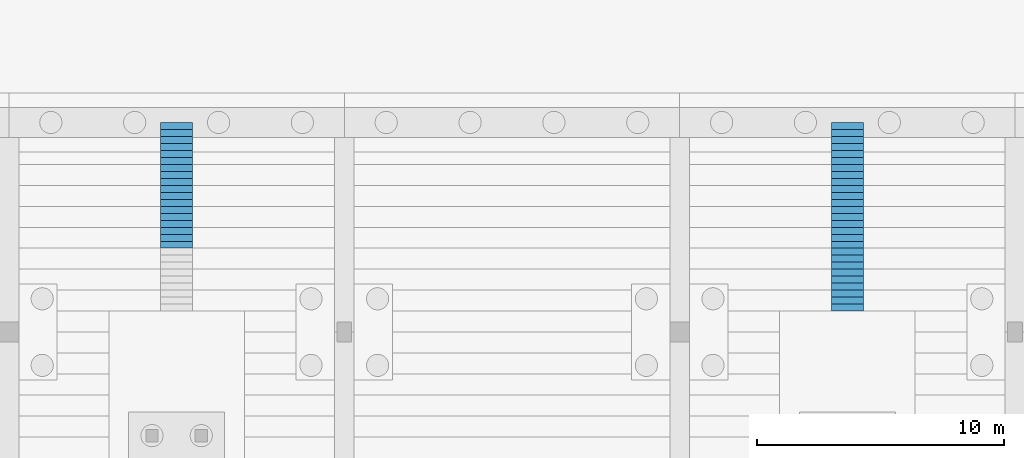
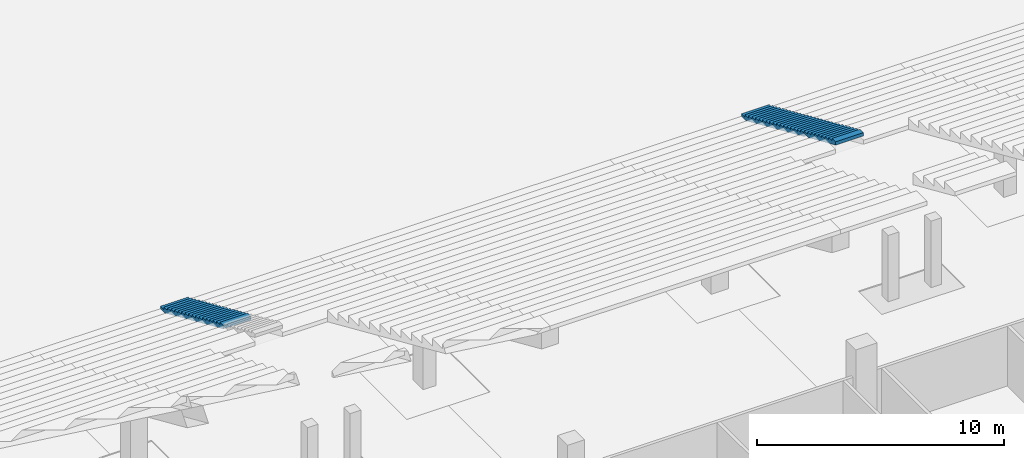
# One storey, part 71 of 115: 3 stair flights, 2 elements without a shape of their own.
"""IFC4 building model written with IfcOpenShell, lengths in metres."""

from ifc_helpers import new_model, si_unit, direction, frame, origin, place, context, subcontext, project, spatial, faceted_brep, material, type_object, element, aggregate, save


model = new_model("IFC4")

# Units and contexts
model_context = context("Model", 3, precision=1e-05, world=origin(), true_north=direction((0.0, 1.0)))
body_context = subcontext(model_context, "Body", "Model", "MODEL_VIEW")
ifc_project = project(units=[si_unit("LENGTHUNIT", "METRE"), si_unit("AREAUNIT", "SQUARE_METRE"), si_unit("VOLUMEUNIT", "CUBIC_METRE"), si_unit("PLANEANGLEUNIT", "RADIAN"), si_unit("MASSUNIT", "GRAM", prefix="KILO")], contexts=[model_context])

# Site, building, storey
site_placement = place(None, origin())
site = spatial("IfcSite", under=ifc_project, at=site_placement, CompositionType="ELEMENT")
building_placement = place(site_placement, origin())
building = spatial("IfcBuilding", under=site, at=building_placement, Name="Ogive Plaza Stadium", CompositionType="ELEMENT")
storey_placement = place(building_placement, frame((0.0, 0.0, -4.5)))
storey = spatial("IfcBuildingStorey", under=building, at=storey_placement, Name="B1", CompositionType="ELEMENT", Elevation=-4.5)

# Stair, stair flights
ifc_material_1 = material(Name="Concrete C40/50", Category="concrete")
stair_type = type_object("IfcStairType", Name="Aisle stair", PredefinedType="STRAIGHT_RUN_STAIR", material=ifc_material_1)
stair_1_placement = place(storey_placement, origin())
stair_1 = element("IfcStair", 1, at=stair_1_placement, inside=storey, type_object=stair_type, Name="Aisle stair SA13D", PredefinedType="STRAIGHT_RUN_STAIR")
ifc_material_2 = material(Name="Concrete C40/50", Category="concrete")
stair_flight_type = type_object("IfcStairFlightType", Name="Aisle stair flight", PredefinedType="STRAIGHT", material=ifc_material_2)
stair_flight_1_placement = place(storey_placement, frame((13.60009765625, -60.0, 1.125), z_axis=(0.0, 0.0, 1.0), x_axis=(0.0, -1.0, 0.0)))
stair_flight_1 = element("IfcStairFlight", 2, at=stair_flight_1_placement, type_object=stair_flight_type, Name="SA13D flight 1", NumberOfRisers=18, NumberOfTreads=17, PredefinedType="STRAIGHT", RiserHeight=0.125, TreadLength=0.283333333, context=body_context, shape_type="Brep", body=[
    faceted_brep([(0.371337890625, -0.64990234375, 0.0), (5.10009765625, -0.64990234375, 2.086181640625), (5.10009765625, -0.64990234375, 2.25), (4.816650390625, -0.64990234375, 2.25), (4.816650390625, -0.64990234375, 2.125), (4.533447265625, -0.64990234375, 2.125), (4.533447265625, -0.64990234375, 2.0), (4.25, -0.64990234375, 2.0), (4.25, -0.64990234375, 1.875), (3.966552734375, -0.64990234375, 1.875), (3.966552734375, -0.64990234375, 1.75), (3.683349609375, -0.64990234375, 1.75), (3.683349609375, -0.64990234375, 1.625), (3.39990234375, -0.64990234375, 1.625), (3.39990234375, -0.64990234375, 1.5), (3.11669921875, -0.64990234375, 1.5), (3.11669921875, -0.64990234375, 1.375), (2.833251953125, -0.64990234375, 1.375), (2.833251953125, -0.64990234375, 1.25), (2.550048828125, -0.64990234375, 1.25), (2.550048828125, -0.64990234375, 1.125), (2.2666015625, -0.64990234375, 1.125), (2.2666015625, -0.64990234375, 1.0), (1.9833984375, -0.64990234375, 1.0), (1.9833984375, -0.64990234375, 0.875), (1.699951171875, -0.64990234375, 0.875), (1.699951171875, -0.64990234375, 0.75), (1.416748046875, -0.64990234375, 0.75), (1.416748046875, -0.64990234375, 0.625), (1.13330078125, -0.64990234375, 0.625), (1.13330078125, -0.64990234375, 0.5), (0.85009765625, -0.64990234375, 0.5), (0.85009765625, -0.64990234375, 0.375), (0.566650390625, -0.64990234375, 0.375), (0.566650390625, -0.64990234375, 0.25), (0.283447265625, -0.64990234375, 0.25), (0.283447265625, -0.64990234375, 0.125), (0.0, -0.64990234375, 0.125), (0.0, -0.64990234375, 0.0), (0.0, 0.64990234375, 0.0), (0.0, 0.64990234375, 0.125), (0.283447265625, 0.64990234375, 0.125), (0.283447265625, 0.64990234375, 0.25), (0.566650390625, 0.64990234375, 0.25), (0.566650390625, 0.64990234375, 0.375), (0.85009765625, 0.64990234375, 0.375), (0.85009765625, 0.64990234375, 0.5), (1.13330078125, 0.64990234375, 0.5), (1.13330078125, 0.64990234375, 0.625), (1.416748046875, 0.64990234375, 0.625), (1.416748046875, 0.64990234375, 0.75), (1.699951171875, 0.64990234375, 0.75), (1.699951171875, 0.64990234375, 0.875), (1.9833984375, 0.64990234375, 0.875), (1.9833984375, 0.64990234375, 1.0), (2.2666015625, 0.64990234375, 1.0), (2.2666015625, 0.64990234375, 1.125), (2.550048828125, 0.64990234375, 1.125), (2.550048828125, 0.64990234375, 1.25), (2.833251953125, 0.64990234375, 1.25), (2.833251953125, 0.64990234375, 1.375), (3.11669921875, 0.64990234375, 1.375), (3.11669921875, 0.64990234375, 1.5), (3.39990234375, 0.64990234375, 1.5), (3.39990234375, 0.64990234375, 1.625), (3.683349609375, 0.64990234375, 1.625), (3.683349609375, 0.64990234375, 1.75), (3.966552734375, 0.64990234375, 1.75), (3.966552734375, 0.64990234375, 1.875), (4.25, 0.64990234375, 1.875), (4.25, 0.64990234375, 2.0), (4.533447265625, 0.64990234375, 2.0), (4.533447265625, 0.64990234375, 2.125), (4.816650390625, 0.64990234375, 2.125), (4.816650390625, 0.64990234375, 2.25), (5.10009765625, 0.64990234375, 2.25), (5.10009765625, 0.64990234375, 2.086181640625), (0.371337890625, 0.64990234375, 0.0), (0.371337890625, -0.324951171875, 0.0), (5.10009765625, -0.324951171875, 2.086181640625), (0.371337890625, 0.0, 0.0), (5.10009765625, 0.0, 2.086181640625), (0.371337890625, 0.324951171875, 0.0), (5.10009765625, 0.324951171875, 2.086181640625), (5.10009765625, -0.324951171875, 2.25), (5.10009765625, 0.0, 2.25), (5.10009765625, 0.324951171875, 2.25), (4.816650390625, -0.324951171875, 2.25), (4.816650390625, 0.0, 2.25), (4.816650390625, 0.324951171875, 2.25), (4.816650390625, -0.324951171875, 2.125), (4.816650390625, 0.0, 2.125), (4.816650390625, 0.324951171875, 2.125), (4.533447265625, -0.324951171875, 2.125), (4.533447265625, 0.0, 2.125), (4.533447265625, 0.324951171875, 2.125), (4.533447265625, -0.324951171875, 2.0), (4.533447265625, 0.0, 2.0), (4.533447265625, 0.324951171875, 2.0), (4.25, -0.324951171875, 2.0), (4.25, 0.0, 2.0), (4.25, 0.324951171875, 2.0), (4.25, -0.324951171875, 1.875), (4.25, 0.0, 1.875), (4.25, 0.324951171875, 1.875), (3.966552734375, -0.324951171875, 1.875), (3.966552734375, 0.0, 1.875), (3.966552734375, 0.324951171875, 1.875), (3.966552734375, -0.324951171875, 1.75), (3.966552734375, 0.0, 1.75), (3.966552734375, 0.324951171875, 1.75), (3.683349609375, -0.324951171875, 1.75), (3.683349609375, 0.0, 1.75), (3.683349609375, 0.324951171875, 1.75), (3.683349609375, -0.324951171875, 1.625), (3.683349609375, 0.0, 1.625), (3.683349609375, 0.324951171875, 1.625), (3.39990234375, -0.324951171875, 1.625), (3.39990234375, 0.0, 1.625), (3.39990234375, 0.324951171875, 1.625), (3.39990234375, -0.324951171875, 1.5), (3.39990234375, 0.0, 1.5), (3.39990234375, 0.324951171875, 1.5), (3.11669921875, -0.324951171875, 1.5), (3.11669921875, 0.0, 1.5), (3.11669921875, 0.324951171875, 1.5), (3.11669921875, -0.324951171875, 1.375), (3.11669921875, 0.0, 1.375), (3.11669921875, 0.324951171875, 1.375), (2.833251953125, -0.324951171875, 1.375), (2.833251953125, 0.0, 1.375), (2.833251953125, 0.324951171875, 1.375), (2.833251953125, -0.324951171875, 1.25), (2.833251953125, 0.0, 1.25), (2.833251953125, 0.324951171875, 1.25), (2.550048828125, -0.324951171875, 1.25), (2.550048828125, 0.0, 1.25), (2.550048828125, 0.324951171875, 1.25), (2.550048828125, -0.324951171875, 1.125), (2.550048828125, 0.0, 1.125), (2.550048828125, 0.324951171875, 1.125), (2.2666015625, -0.324951171875, 1.125), (2.2666015625, 0.0, 1.125), (2.2666015625, 0.324951171875, 1.125), (2.2666015625, -0.324951171875, 1.0), (2.2666015625, 0.0, 1.0), (2.2666015625, 0.324951171875, 1.0), (1.9833984375, -0.324951171875, 1.0), (1.9833984375, 0.0, 1.0), (1.9833984375, 0.324951171875, 1.0), (1.9833984375, -0.324951171875, 0.875), (1.9833984375, 0.0, 0.875), (1.9833984375, 0.324951171875, 0.875), (1.699951171875, -0.324951171875, 0.875), (1.699951171875, 0.0, 0.875), (1.699951171875, 0.324951171875, 0.875), (1.699951171875, -0.324951171875, 0.75), (1.699951171875, 0.0, 0.75), (1.699951171875, 0.324951171875, 0.75), (1.416748046875, -0.324951171875, 0.75), (1.416748046875, 0.0, 0.75), (1.416748046875, 0.324951171875, 0.75), (1.416748046875, -0.324951171875, 0.625), (1.416748046875, 0.0, 0.625), (1.416748046875, 0.324951171875, 0.625), (1.13330078125, -0.324951171875, 0.625), (1.13330078125, 0.0, 0.625), (1.13330078125, 0.324951171875, 0.625), (1.13330078125, -0.324951171875, 0.5), (1.13330078125, 0.0, 0.5), (1.13330078125, 0.324951171875, 0.5), (0.85009765625, -0.324951171875, 0.5), (0.85009765625, 0.0, 0.5), (0.85009765625, 0.324951171875, 0.5), (0.85009765625, -0.324951171875, 0.375), (0.85009765625, 0.0, 0.375), (0.85009765625, 0.324951171875, 0.375), (0.566650390625, -0.324951171875, 0.375), (0.566650390625, 0.0, 0.375), (0.566650390625, 0.324951171875, 0.375), (0.566650390625, -0.324951171875, 0.25), (0.566650390625, 0.0, 0.25), (0.566650390625, 0.324951171875, 0.25), (0.283447265625, -0.324951171875, 0.25), (0.283447265625, 0.0, 0.25), (0.283447265625, 0.324951171875, 0.25), (0.283447265625, -0.324951171875, 0.125), (0.283447265625, 0.0, 0.125), (0.283447265625, 0.324951171875, 0.125), (0.0, -0.324951171875, 0.125), (0.0, 0.0, 0.125), (0.0, 0.324951171875, 0.125), (0.0, -0.324951171875, 0.0), (0.0, 0.0, 0.0), (0.0, 0.324951171875, 0.0)], [[[0, 1, 2, 3, 4, 5, 6, 7, 8, 9, 10, 11, 12, 13, 14, 15, 16, 17, 18, 19, 20, 21, 22, 23, 24, 25, 26, 27, 28, 29, 30, 31, 32, 33, 34, 35, 36, 37, 38]], [[39, 40, 41, 42, 43, 44, 45, 46, 47, 48, 49, 50, 51, 52, 53, 54, 55, 56, 57, 58, 59, 60, 61, 62, 63, 64, 65, 66, 67, 68, 69, 70, 71, 72, 73, 74, 75, 76, 77]], [[0, 78, 79, 1]], [[78, 80, 81, 79]], [[80, 82, 83, 81]], [[82, 77, 76, 83]], [[1, 79, 84, 2]], [[79, 81, 85, 84]], [[81, 83, 86, 85]], [[83, 76, 75, 86]], [[2, 84, 87, 3]], [[84, 85, 88, 87]], [[85, 86, 89, 88]], [[86, 75, 74, 89]], [[3, 87, 90, 4]], [[87, 88, 91, 90]], [[88, 89, 92, 91]], [[89, 74, 73, 92]], [[4, 90, 93, 5]], [[90, 91, 94, 93]], [[91, 92, 95, 94]], [[92, 73, 72, 95]], [[5, 93, 96, 6]], [[93, 94, 97, 96]], [[94, 95, 98, 97]], [[95, 72, 71, 98]], [[6, 96, 99, 7]], [[96, 97, 100, 99]], [[97, 98, 101, 100]], [[98, 71, 70, 101]], [[7, 99, 102, 8]], [[99, 100, 103, 102]], [[100, 101, 104, 103]], [[101, 70, 69, 104]], [[8, 102, 105, 9]], [[102, 103, 106, 105]], [[103, 104, 107, 106]], [[104, 69, 68, 107]], [[9, 105, 108, 10]], [[105, 106, 109, 108]], [[106, 107, 110, 109]], [[107, 68, 67, 110]], [[10, 108, 111, 11]], [[108, 109, 112, 111]], [[109, 110, 113, 112]], [[110, 67, 66, 113]], [[11, 111, 114, 12]], [[111, 112, 115, 114]], [[112, 113, 116, 115]], [[113, 66, 65, 116]], [[12, 114, 117, 13]], [[114, 115, 118, 117]], [[115, 116, 119, 118]], [[116, 65, 64, 119]], [[13, 117, 120, 14]], [[117, 118, 121, 120]], [[118, 119, 122, 121]], [[119, 64, 63, 122]], [[14, 120, 123, 15]], [[120, 121, 124, 123]], [[121, 122, 125, 124]], [[122, 63, 62, 125]], [[15, 123, 126, 16]], [[123, 124, 127, 126]], [[124, 125, 128, 127]], [[125, 62, 61, 128]], [[16, 126, 129, 17]], [[126, 127, 130, 129]], [[127, 128, 131, 130]], [[128, 61, 60, 131]], [[17, 129, 132, 18]], [[129, 130, 133, 132]], [[130, 131, 134, 133]], [[131, 60, 59, 134]], [[18, 132, 135, 19]], [[132, 133, 136, 135]], [[133, 134, 137, 136]], [[134, 59, 58, 137]], [[19, 135, 138, 20]], [[135, 136, 139, 138]], [[136, 137, 140, 139]], [[137, 58, 57, 140]], [[20, 138, 141, 21]], [[138, 139, 142, 141]], [[139, 140, 143, 142]], [[140, 57, 56, 143]], [[21, 141, 144, 22]], [[141, 142, 145, 144]], [[142, 143, 146, 145]], [[143, 56, 55, 146]], [[22, 144, 147, 23]], [[144, 145, 148, 147]], [[145, 146, 149, 148]], [[146, 55, 54, 149]], [[23, 147, 150, 24]], [[147, 148, 151, 150]], [[148, 149, 152, 151]], [[149, 54, 53, 152]], [[24, 150, 153, 25]], [[150, 151, 154, 153]], [[151, 152, 155, 154]], [[152, 53, 52, 155]], [[25, 153, 156, 26]], [[153, 154, 157, 156]], [[154, 155, 158, 157]], [[155, 52, 51, 158]], [[26, 156, 159, 27]], [[156, 157, 160, 159]], [[157, 158, 161, 160]], [[158, 51, 50, 161]], [[27, 159, 162, 28]], [[159, 160, 163, 162]], [[160, 161, 164, 163]], [[161, 50, 49, 164]], [[28, 162, 165, 29]], [[162, 163, 166, 165]], [[163, 164, 167, 166]], [[164, 49, 48, 167]], [[29, 165, 168, 30]], [[165, 166, 169, 168]], [[166, 167, 170, 169]], [[167, 48, 47, 170]], [[30, 168, 171, 31]], [[168, 169, 172, 171]], [[169, 170, 173, 172]], [[170, 47, 46, 173]], [[31, 171, 174, 32]], [[171, 172, 175, 174]], [[172, 173, 176, 175]], [[173, 46, 45, 176]], [[32, 174, 177, 33]], [[174, 175, 178, 177]], [[175, 176, 179, 178]], [[176, 45, 44, 179]], [[33, 177, 180, 34]], [[177, 178, 181, 180]], [[178, 179, 182, 181]], [[179, 44, 43, 182]], [[34, 180, 183, 35]], [[180, 181, 184, 183]], [[181, 182, 185, 184]], [[182, 43, 42, 185]], [[35, 183, 186, 36]], [[183, 184, 187, 186]], [[184, 185, 188, 187]], [[185, 42, 41, 188]], [[36, 186, 189, 37]], [[186, 187, 190, 189]], [[187, 188, 191, 190]], [[188, 41, 40, 191]], [[37, 189, 192, 38]], [[189, 190, 193, 192]], [[190, 191, 194, 193]], [[191, 40, 39, 194]], [[38, 192, 78, 0]], [[192, 193, 80, 78]], [[193, 194, 82, 80]], [[194, 39, 77, 82]]]),
])
stair_flight_2_placement = place(storey_placement, frame((13.60009765625, -65.10009765625, 3.375), z_axis=(0.0, 0.0, 1.0), x_axis=(0.0, -1.0, 0.0)))
stair_flight_2 = element("IfcStairFlight", 3, at=stair_flight_2_placement, type_object=stair_flight_type, Name="SA13D flight 2", NumberOfRisers=9, NumberOfTreads=8, PredefinedType="STRAIGHT", RiserHeight=0.125, TreadLength=0.283333333, context=body_context, shape_type="Brep", body=[
    faceted_brep([(0.371337890625, -0.64990234375, 0.0), (2.550048828125, -0.64990234375, 0.961181640625), (2.550048828125, -0.64990234375, 1.125), (2.2666015625, -0.64990234375, 1.125), (2.2666015625, -0.64990234375, 1.0), (1.9833984375, -0.64990234375, 1.0), (1.9833984375, -0.64990234375, 0.875), (1.699951171875, -0.64990234375, 0.875), (1.699951171875, -0.64990234375, 0.75), (1.416748046875, -0.64990234375, 0.75), (1.416748046875, -0.64990234375, 0.625), (1.13330078125, -0.64990234375, 0.625), (1.13330078125, -0.64990234375, 0.5), (0.85009765625, -0.64990234375, 0.5), (0.85009765625, -0.64990234375, 0.375), (0.566650390625, -0.64990234375, 0.375), (0.566650390625, -0.64990234375, 0.25), (0.283447265625, -0.64990234375, 0.25), (0.283447265625, -0.64990234375, 0.125), (0.0, -0.64990234375, 0.125), (0.0, -0.64990234375, 0.0), (0.0, 0.64990234375, 0.0), (0.0, 0.64990234375, 0.125), (0.283447265625, 0.64990234375, 0.125), (0.283447265625, 0.64990234375, 0.25), (0.566650390625, 0.64990234375, 0.25), (0.566650390625, 0.64990234375, 0.375), (0.85009765625, 0.64990234375, 0.375), (0.85009765625, 0.64990234375, 0.5), (1.13330078125, 0.64990234375, 0.5), (1.13330078125, 0.64990234375, 0.625), (1.416748046875, 0.64990234375, 0.625), (1.416748046875, 0.64990234375, 0.75), (1.699951171875, 0.64990234375, 0.75), (1.699951171875, 0.64990234375, 0.875), (1.9833984375, 0.64990234375, 0.875), (1.9833984375, 0.64990234375, 1.0), (2.2666015625, 0.64990234375, 1.0), (2.2666015625, 0.64990234375, 1.125), (2.550048828125, 0.64990234375, 1.125), (2.550048828125, 0.64990234375, 0.961181640625), (0.371337890625, 0.64990234375, 0.0), (0.371337890625, -0.324951171875, 0.0), (2.550048828125, -0.324951171875, 0.961181640625), (0.371337890625, 0.0, 0.0), (2.550048828125, 0.0, 0.961181640625), (0.371337890625, 0.324951171875, 0.0), (2.550048828125, 0.324951171875, 0.961181640625), (2.550048828125, -0.324951171875, 1.125), (2.550048828125, 0.0, 1.125), (2.550048828125, 0.324951171875, 1.125), (2.2666015625, -0.324951171875, 1.125), (2.2666015625, 0.0, 1.125), (2.2666015625, 0.324951171875, 1.125), (2.2666015625, -0.324951171875, 1.0), (2.2666015625, 0.0, 1.0), (2.2666015625, 0.324951171875, 1.0), (1.9833984375, -0.324951171875, 1.0), (1.9833984375, 0.0, 1.0), (1.9833984375, 0.324951171875, 1.0), (1.9833984375, -0.324951171875, 0.875), (1.9833984375, 0.0, 0.875), (1.9833984375, 0.324951171875, 0.875), (1.699951171875, -0.324951171875, 0.875), (1.699951171875, 0.0, 0.875), (1.699951171875, 0.324951171875, 0.875), (1.699951171875, -0.324951171875, 0.75), (1.699951171875, 0.0, 0.75), (1.699951171875, 0.324951171875, 0.75), (1.416748046875, -0.324951171875, 0.75), (1.416748046875, 0.0, 0.75), (1.416748046875, 0.324951171875, 0.75), (1.416748046875, -0.324951171875, 0.625), (1.416748046875, 0.0, 0.625), (1.416748046875, 0.324951171875, 0.625), (1.13330078125, -0.324951171875, 0.625), (1.13330078125, 0.0, 0.625), (1.13330078125, 0.324951171875, 0.625), (1.13330078125, -0.324951171875, 0.5), (1.13330078125, 0.0, 0.5), (1.13330078125, 0.324951171875, 0.5), (0.85009765625, -0.324951171875, 0.5), (0.85009765625, 0.0, 0.5), (0.85009765625, 0.324951171875, 0.5), (0.85009765625, -0.324951171875, 0.375), (0.85009765625, 0.0, 0.375), (0.85009765625, 0.324951171875, 0.375), (0.566650390625, -0.324951171875, 0.375), (0.566650390625, 0.0, 0.375), (0.566650390625, 0.324951171875, 0.375), (0.566650390625, -0.324951171875, 0.25), (0.566650390625, 0.0, 0.25), (0.566650390625, 0.324951171875, 0.25), (0.283447265625, -0.324951171875, 0.25), (0.283447265625, 0.0, 0.25), (0.283447265625, 0.324951171875, 0.25), (0.283447265625, -0.324951171875, 0.125), (0.283447265625, 0.0, 0.125), (0.283447265625, 0.324951171875, 0.125), (0.0, -0.324951171875, 0.125), (0.0, 0.0, 0.125), (0.0, 0.324951171875, 0.125), (0.0, -0.324951171875, 0.0), (0.0, 0.0, 0.0), (0.0, 0.324951171875, 0.0)], [[[0, 1, 2, 3, 4, 5, 6, 7, 8, 9, 10, 11, 12, 13, 14, 15, 16, 17, 18, 19, 20]], [[21, 22, 23, 24, 25, 26, 27, 28, 29, 30, 31, 32, 33, 34, 35, 36, 37, 38, 39, 40, 41]], [[0, 42, 43, 1]], [[42, 44, 45, 43]], [[44, 46, 47, 45]], [[46, 41, 40, 47]], [[1, 43, 48, 2]], [[43, 45, 49, 48]], [[45, 47, 50, 49]], [[47, 40, 39, 50]], [[2, 48, 51, 3]], [[48, 49, 52, 51]], [[49, 50, 53, 52]], [[50, 39, 38, 53]], [[3, 51, 54, 4]], [[51, 52, 55, 54]], [[52, 53, 56, 55]], [[53, 38, 37, 56]], [[4, 54, 57, 5]], [[54, 55, 58, 57]], [[55, 56, 59, 58]], [[56, 37, 36, 59]], [[5, 57, 60, 6]], [[57, 58, 61, 60]], [[58, 59, 62, 61]], [[59, 36, 35, 62]], [[6, 60, 63, 7]], [[60, 61, 64, 63]], [[61, 62, 65, 64]], [[62, 35, 34, 65]], [[7, 63, 66, 8]], [[63, 64, 67, 66]], [[64, 65, 68, 67]], [[65, 34, 33, 68]], [[8, 66, 69, 9]], [[66, 67, 70, 69]], [[67, 68, 71, 70]], [[68, 33, 32, 71]], [[9, 69, 72, 10]], [[69, 70, 73, 72]], [[70, 71, 74, 73]], [[71, 32, 31, 74]], [[10, 72, 75, 11]], [[72, 73, 76, 75]], [[73, 74, 77, 76]], [[74, 31, 30, 77]], [[11, 75, 78, 12]], [[75, 76, 79, 78]], [[76, 77, 80, 79]], [[77, 30, 29, 80]], [[12, 78, 81, 13]], [[78, 79, 82, 81]], [[79, 80, 83, 82]], [[80, 29, 28, 83]], [[13, 81, 84, 14]], [[81, 82, 85, 84]], [[82, 83, 86, 85]], [[83, 28, 27, 86]], [[14, 84, 87, 15]], [[84, 85, 88, 87]], [[85, 86, 89, 88]], [[86, 27, 26, 89]], [[15, 87, 90, 16]], [[87, 88, 91, 90]], [[88, 89, 92, 91]], [[89, 26, 25, 92]], [[16, 90, 93, 17]], [[90, 91, 94, 93]], [[91, 92, 95, 94]], [[92, 25, 24, 95]], [[17, 93, 96, 18]], [[93, 94, 97, 96]], [[94, 95, 98, 97]], [[95, 24, 23, 98]], [[18, 96, 99, 19]], [[96, 97, 100, 99]], [[97, 98, 101, 100]], [[98, 23, 22, 101]], [[19, 99, 102, 20]], [[99, 100, 103, 102]], [[100, 101, 104, 103]], [[101, 22, 21, 104]], [[20, 102, 42, 0]], [[102, 103, 44, 42]], [[103, 104, 46, 44]], [[104, 21, 41, 46]]]),
])
aggregate(stair_1, [stair_flight_1, stair_flight_2])

# Stair, stair flight
stair_2_placement = place(storey_placement, origin())
stair_2 = element("IfcStair", 4, at=stair_2_placement, inside=storey, type_object=stair_type, Name="Aisle stair SA15D", PredefinedType="STRAIGHT_RUN_STAIR")
stair_flight_3_placement = place(storey_placement, frame((-13.60009765625, -60.0, 1.125), z_axis=(0.0, 0.0, 1.0), x_axis=(0.0, -1.0, 0.0)))
stair_flight_3 = element("IfcStairFlight", 5, at=stair_flight_3_placement, type_object=stair_flight_type, Name="SA15D flight 1", NumberOfRisers=18, NumberOfTreads=17, PredefinedType="STRAIGHT", RiserHeight=0.125, TreadLength=0.283333333, context=body_context, shape_type="Brep", body=[
    faceted_brep([(0.371337890625, -0.64990234375, 0.0), (5.10009765625, -0.64990234375, 2.086181640625), (5.10009765625, -0.64990234375, 2.25), (4.816650390625, -0.64990234375, 2.25), (4.816650390625, -0.64990234375, 2.125), (4.533447265625, -0.64990234375, 2.125), (4.533447265625, -0.64990234375, 2.0), (4.25, -0.64990234375, 2.0), (4.25, -0.64990234375, 1.875), (3.966552734375, -0.64990234375, 1.875), (3.966552734375, -0.64990234375, 1.75), (3.683349609375, -0.64990234375, 1.75), (3.683349609375, -0.64990234375, 1.625), (3.39990234375, -0.64990234375, 1.625), (3.39990234375, -0.64990234375, 1.5), (3.11669921875, -0.64990234375, 1.5), (3.11669921875, -0.64990234375, 1.375), (2.833251953125, -0.64990234375, 1.375), (2.833251953125, -0.64990234375, 1.25), (2.550048828125, -0.64990234375, 1.25), (2.550048828125, -0.64990234375, 1.125), (2.2666015625, -0.64990234375, 1.125), (2.2666015625, -0.64990234375, 1.0), (1.9833984375, -0.64990234375, 1.0), (1.9833984375, -0.64990234375, 0.875), (1.699951171875, -0.64990234375, 0.875), (1.699951171875, -0.64990234375, 0.75), (1.416748046875, -0.64990234375, 0.75), (1.416748046875, -0.64990234375, 0.625), (1.13330078125, -0.64990234375, 0.625), (1.13330078125, -0.64990234375, 0.5), (0.85009765625, -0.64990234375, 0.5), (0.85009765625, -0.64990234375, 0.375), (0.566650390625, -0.64990234375, 0.375), (0.566650390625, -0.64990234375, 0.25), (0.283447265625, -0.64990234375, 0.25), (0.283447265625, -0.64990234375, 0.125), (0.0, -0.64990234375, 0.125), (0.0, -0.64990234375, 0.0), (0.0, 0.64990234375, 0.0), (0.0, 0.64990234375, 0.125), (0.283447265625, 0.64990234375, 0.125), (0.283447265625, 0.64990234375, 0.25), (0.566650390625, 0.64990234375, 0.25), (0.566650390625, 0.64990234375, 0.375), (0.85009765625, 0.64990234375, 0.375), (0.85009765625, 0.64990234375, 0.5), (1.13330078125, 0.64990234375, 0.5), (1.13330078125, 0.64990234375, 0.625), (1.416748046875, 0.64990234375, 0.625), (1.416748046875, 0.64990234375, 0.75), (1.699951171875, 0.64990234375, 0.75), (1.699951171875, 0.64990234375, 0.875), (1.9833984375, 0.64990234375, 0.875), (1.9833984375, 0.64990234375, 1.0), (2.2666015625, 0.64990234375, 1.0), (2.2666015625, 0.64990234375, 1.125), (2.550048828125, 0.64990234375, 1.125), (2.550048828125, 0.64990234375, 1.25), (2.833251953125, 0.64990234375, 1.25), (2.833251953125, 0.64990234375, 1.375), (3.11669921875, 0.64990234375, 1.375), (3.11669921875, 0.64990234375, 1.5), (3.39990234375, 0.64990234375, 1.5), (3.39990234375, 0.64990234375, 1.625), (3.683349609375, 0.64990234375, 1.625), (3.683349609375, 0.64990234375, 1.75), (3.966552734375, 0.64990234375, 1.75), (3.966552734375, 0.64990234375, 1.875), (4.25, 0.64990234375, 1.875), (4.25, 0.64990234375, 2.0), (4.533447265625, 0.64990234375, 2.0), (4.533447265625, 0.64990234375, 2.125), (4.816650390625, 0.64990234375, 2.125), (4.816650390625, 0.64990234375, 2.25), (5.10009765625, 0.64990234375, 2.25), (5.10009765625, 0.64990234375, 2.086181640625), (0.371337890625, 0.64990234375, 0.0), (0.371337890625, -0.324951171875, 0.0), (5.10009765625, -0.324951171875, 2.086181640625), (0.371337890625, 0.0, 0.0), (5.10009765625, 0.0, 2.086181640625), (0.371337890625, 0.324951171875, 0.0), (5.10009765625, 0.324951171875, 2.086181640625), (5.10009765625, -0.324951171875, 2.25), (5.10009765625, 0.0, 2.25), (5.10009765625, 0.324951171875, 2.25), (4.816650390625, -0.324951171875, 2.25), (4.816650390625, 0.0, 2.25), (4.816650390625, 0.324951171875, 2.25), (4.816650390625, -0.324951171875, 2.125), (4.816650390625, 0.0, 2.125), (4.816650390625, 0.324951171875, 2.125), (4.533447265625, -0.324951171875, 2.125), (4.533447265625, 0.0, 2.125), (4.533447265625, 0.324951171875, 2.125), (4.533447265625, -0.324951171875, 2.0), (4.533447265625, 0.0, 2.0), (4.533447265625, 0.324951171875, 2.0), (4.25, -0.324951171875, 2.0), (4.25, 0.0, 2.0), (4.25, 0.324951171875, 2.0), (4.25, -0.324951171875, 1.875), (4.25, 0.0, 1.875), (4.25, 0.324951171875, 1.875), (3.966552734375, -0.324951171875, 1.875), (3.966552734375, 0.0, 1.875), (3.966552734375, 0.324951171875, 1.875), (3.966552734375, -0.324951171875, 1.75), (3.966552734375, 0.0, 1.75), (3.966552734375, 0.324951171875, 1.75), (3.683349609375, -0.324951171875, 1.75), (3.683349609375, 0.0, 1.75), (3.683349609375, 0.324951171875, 1.75), (3.683349609375, -0.324951171875, 1.625), (3.683349609375, 0.0, 1.625), (3.683349609375, 0.324951171875, 1.625), (3.39990234375, -0.324951171875, 1.625), (3.39990234375, 0.0, 1.625), (3.39990234375, 0.324951171875, 1.625), (3.39990234375, -0.324951171875, 1.5), (3.39990234375, 0.0, 1.5), (3.39990234375, 0.324951171875, 1.5), (3.11669921875, -0.324951171875, 1.5), (3.11669921875, 0.0, 1.5), (3.11669921875, 0.324951171875, 1.5), (3.11669921875, -0.324951171875, 1.375), (3.11669921875, 0.0, 1.375), (3.11669921875, 0.324951171875, 1.375), (2.833251953125, -0.324951171875, 1.375), (2.833251953125, 0.0, 1.375), (2.833251953125, 0.324951171875, 1.375), (2.833251953125, -0.324951171875, 1.25), (2.833251953125, 0.0, 1.25), (2.833251953125, 0.324951171875, 1.25), (2.550048828125, -0.324951171875, 1.25), (2.550048828125, 0.0, 1.25), (2.550048828125, 0.324951171875, 1.25), (2.550048828125, -0.324951171875, 1.125), (2.550048828125, 0.0, 1.125), (2.550048828125, 0.324951171875, 1.125), (2.2666015625, -0.324951171875, 1.125), (2.2666015625, 0.0, 1.125), (2.2666015625, 0.324951171875, 1.125), (2.2666015625, -0.324951171875, 1.0), (2.2666015625, 0.0, 1.0), (2.2666015625, 0.324951171875, 1.0), (1.9833984375, -0.324951171875, 1.0), (1.9833984375, 0.0, 1.0), (1.9833984375, 0.324951171875, 1.0), (1.9833984375, -0.324951171875, 0.875), (1.9833984375, 0.0, 0.875), (1.9833984375, 0.324951171875, 0.875), (1.699951171875, -0.324951171875, 0.875), (1.699951171875, 0.0, 0.875), (1.699951171875, 0.324951171875, 0.875), (1.699951171875, -0.324951171875, 0.75), (1.699951171875, 0.0, 0.75), (1.699951171875, 0.324951171875, 0.75), (1.416748046875, -0.324951171875, 0.75), (1.416748046875, 0.0, 0.75), (1.416748046875, 0.324951171875, 0.75), (1.416748046875, -0.324951171875, 0.625), (1.416748046875, 0.0, 0.625), (1.416748046875, 0.324951171875, 0.625), (1.13330078125, -0.324951171875, 0.625), (1.13330078125, 0.0, 0.625), (1.13330078125, 0.324951171875, 0.625), (1.13330078125, -0.324951171875, 0.5), (1.13330078125, 0.0, 0.5), (1.13330078125, 0.324951171875, 0.5), (0.85009765625, -0.324951171875, 0.5), (0.85009765625, 0.0, 0.5), (0.85009765625, 0.324951171875, 0.5), (0.85009765625, -0.324951171875, 0.375), (0.85009765625, 0.0, 0.375), (0.85009765625, 0.324951171875, 0.375), (0.566650390625, -0.324951171875, 0.375), (0.566650390625, 0.0, 0.375), (0.566650390625, 0.324951171875, 0.375), (0.566650390625, -0.324951171875, 0.25), (0.566650390625, 0.0, 0.25), (0.566650390625, 0.324951171875, 0.25), (0.283447265625, -0.324951171875, 0.25), (0.283447265625, 0.0, 0.25), (0.283447265625, 0.324951171875, 0.25), (0.283447265625, -0.324951171875, 0.125), (0.283447265625, 0.0, 0.125), (0.283447265625, 0.324951171875, 0.125), (0.0, -0.324951171875, 0.125), (0.0, 0.0, 0.125), (0.0, 0.324951171875, 0.125), (0.0, -0.324951171875, 0.0), (0.0, 0.0, 0.0), (0.0, 0.324951171875, 0.0)], [[[0, 1, 2, 3, 4, 5, 6, 7, 8, 9, 10, 11, 12, 13, 14, 15, 16, 17, 18, 19, 20, 21, 22, 23, 24, 25, 26, 27, 28, 29, 30, 31, 32, 33, 34, 35, 36, 37, 38]], [[39, 40, 41, 42, 43, 44, 45, 46, 47, 48, 49, 50, 51, 52, 53, 54, 55, 56, 57, 58, 59, 60, 61, 62, 63, 64, 65, 66, 67, 68, 69, 70, 71, 72, 73, 74, 75, 76, 77]], [[0, 78, 79, 1]], [[78, 80, 81, 79]], [[80, 82, 83, 81]], [[82, 77, 76, 83]], [[1, 79, 84, 2]], [[79, 81, 85, 84]], [[81, 83, 86, 85]], [[83, 76, 75, 86]], [[2, 84, 87, 3]], [[84, 85, 88, 87]], [[85, 86, 89, 88]], [[86, 75, 74, 89]], [[3, 87, 90, 4]], [[87, 88, 91, 90]], [[88, 89, 92, 91]], [[89, 74, 73, 92]], [[4, 90, 93, 5]], [[90, 91, 94, 93]], [[91, 92, 95, 94]], [[92, 73, 72, 95]], [[5, 93, 96, 6]], [[93, 94, 97, 96]], [[94, 95, 98, 97]], [[95, 72, 71, 98]], [[6, 96, 99, 7]], [[96, 97, 100, 99]], [[97, 98, 101, 100]], [[98, 71, 70, 101]], [[7, 99, 102, 8]], [[99, 100, 103, 102]], [[100, 101, 104, 103]], [[101, 70, 69, 104]], [[8, 102, 105, 9]], [[102, 103, 106, 105]], [[103, 104, 107, 106]], [[104, 69, 68, 107]], [[9, 105, 108, 10]], [[105, 106, 109, 108]], [[106, 107, 110, 109]], [[107, 68, 67, 110]], [[10, 108, 111, 11]], [[108, 109, 112, 111]], [[109, 110, 113, 112]], [[110, 67, 66, 113]], [[11, 111, 114, 12]], [[111, 112, 115, 114]], [[112, 113, 116, 115]], [[113, 66, 65, 116]], [[12, 114, 117, 13]], [[114, 115, 118, 117]], [[115, 116, 119, 118]], [[116, 65, 64, 119]], [[13, 117, 120, 14]], [[117, 118, 121, 120]], [[118, 119, 122, 121]], [[119, 64, 63, 122]], [[14, 120, 123, 15]], [[120, 121, 124, 123]], [[121, 122, 125, 124]], [[122, 63, 62, 125]], [[15, 123, 126, 16]], [[123, 124, 127, 126]], [[124, 125, 128, 127]], [[125, 62, 61, 128]], [[16, 126, 129, 17]], [[126, 127, 130, 129]], [[127, 128, 131, 130]], [[128, 61, 60, 131]], [[17, 129, 132, 18]], [[129, 130, 133, 132]], [[130, 131, 134, 133]], [[131, 60, 59, 134]], [[18, 132, 135, 19]], [[132, 133, 136, 135]], [[133, 134, 137, 136]], [[134, 59, 58, 137]], [[19, 135, 138, 20]], [[135, 136, 139, 138]], [[136, 137, 140, 139]], [[137, 58, 57, 140]], [[20, 138, 141, 21]], [[138, 139, 142, 141]], [[139, 140, 143, 142]], [[140, 57, 56, 143]], [[21, 141, 144, 22]], [[141, 142, 145, 144]], [[142, 143, 146, 145]], [[143, 56, 55, 146]], [[22, 144, 147, 23]], [[144, 145, 148, 147]], [[145, 146, 149, 148]], [[146, 55, 54, 149]], [[23, 147, 150, 24]], [[147, 148, 151, 150]], [[148, 149, 152, 151]], [[149, 54, 53, 152]], [[24, 150, 153, 25]], [[150, 151, 154, 153]], [[151, 152, 155, 154]], [[152, 53, 52, 155]], [[25, 153, 156, 26]], [[153, 154, 157, 156]], [[154, 155, 158, 157]], [[155, 52, 51, 158]], [[26, 156, 159, 27]], [[156, 157, 160, 159]], [[157, 158, 161, 160]], [[158, 51, 50, 161]], [[27, 159, 162, 28]], [[159, 160, 163, 162]], [[160, 161, 164, 163]], [[161, 50, 49, 164]], [[28, 162, 165, 29]], [[162, 163, 166, 165]], [[163, 164, 167, 166]], [[164, 49, 48, 167]], [[29, 165, 168, 30]], [[165, 166, 169, 168]], [[166, 167, 170, 169]], [[167, 48, 47, 170]], [[30, 168, 171, 31]], [[168, 169, 172, 171]], [[169, 170, 173, 172]], [[170, 47, 46, 173]], [[31, 171, 174, 32]], [[171, 172, 175, 174]], [[172, 173, 176, 175]], [[173, 46, 45, 176]], [[32, 174, 177, 33]], [[174, 175, 178, 177]], [[175, 176, 179, 178]], [[176, 45, 44, 179]], [[33, 177, 180, 34]], [[177, 178, 181, 180]], [[178, 179, 182, 181]], [[179, 44, 43, 182]], [[34, 180, 183, 35]], [[180, 181, 184, 183]], [[181, 182, 185, 184]], [[182, 43, 42, 185]], [[35, 183, 186, 36]], [[183, 184, 187, 186]], [[184, 185, 188, 187]], [[185, 42, 41, 188]], [[36, 186, 189, 37]], [[186, 187, 190, 189]], [[187, 188, 191, 190]], [[188, 41, 40, 191]], [[37, 189, 192, 38]], [[189, 190, 193, 192]], [[190, 191, 194, 193]], [[191, 40, 39, 194]], [[38, 192, 78, 0]], [[192, 193, 80, 78]], [[193, 194, 82, 80]], [[194, 39, 77, 82]]]),
])
aggregate(stair_2, [stair_flight_3])

save(model, "model.ifc")
